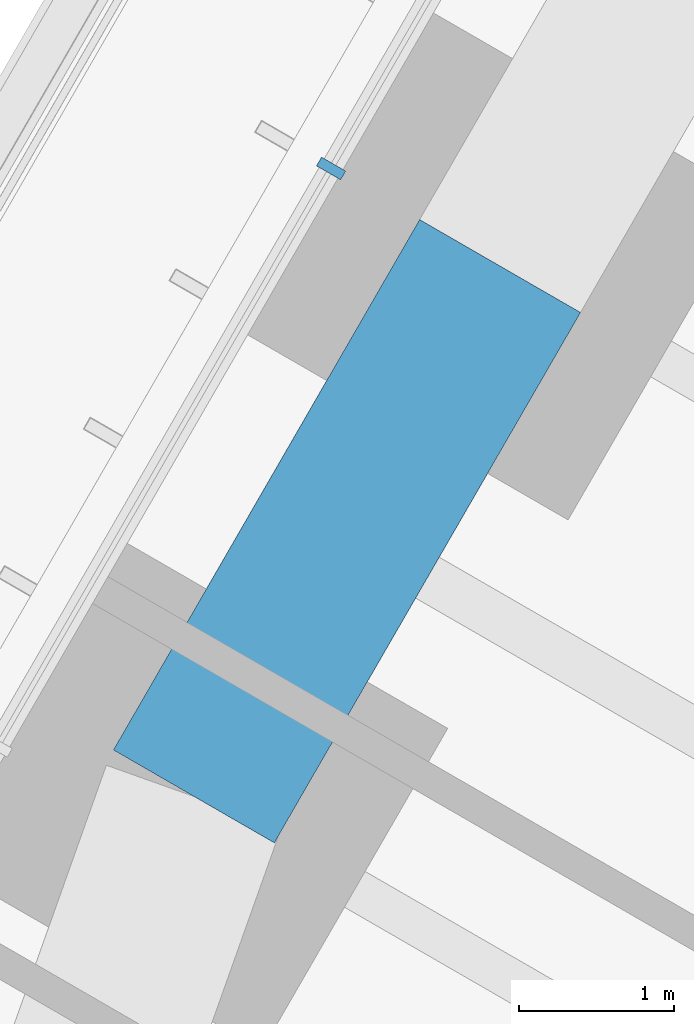
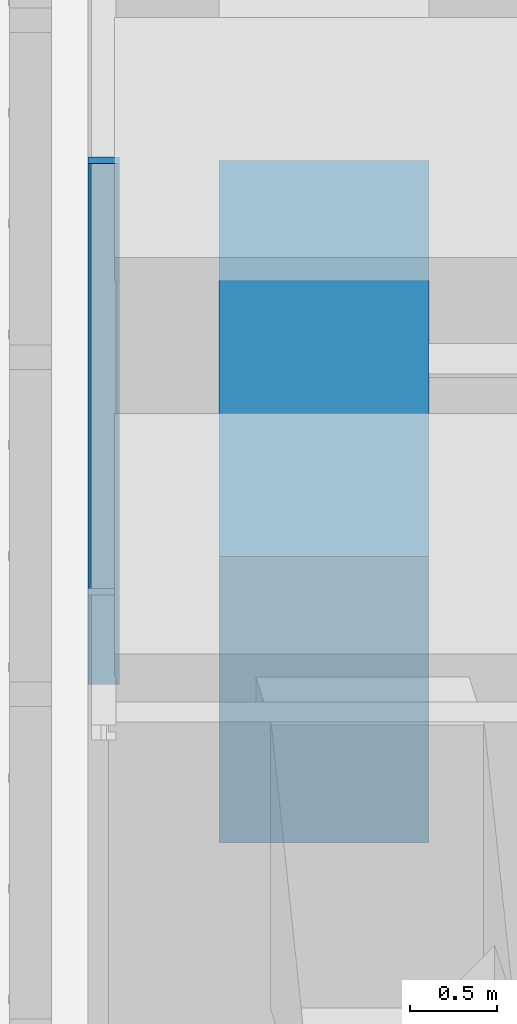
# One storey, part 135 of 238: 1 beam, 1 member, 1 element without a shape of its own.
"""IFC4 building model written with IfcOpenShell, lengths in metres."""

import ifcopenshell
import ifcopenshell.guid

model = None  # the IFC model being written
_history = None  # IfcOwnerHistory: only IFC2X3 demands one
_inside = {}  # id of a spatial element -> (the spatial element, [elements in it])
_under = {}  # id of a project, library or spatial element -> (it, [spatial elements below it])
_declared = {}  # id of a project -> (the project, [libraries it declares])
_typed = {}  # id of a type object -> (the type object, [elements of that type])
_made_of = {}  # id of a material, layer set ... -> (it, [elements and type objects made of it])


def new_model(schema):
    """Start an empty IFC model of exactly this schema.

    Asked for "IFC4X3", IfcOpenShell would pick the latest addendum, in which some entities
    have other attributes; the version numbers below select the first issue.
    IFC2X3 requires an IfcOwnerHistory on every rooted entity: one is made here for all.
    """
    global model, _history
    if schema == "IFC4X3":
        model = ifcopenshell.file(schema_version=(4, 3, 0, 0))
    else:
        model = ifcopenshell.file(schema=schema)
    _inside.clear()
    _under.clear()
    _declared.clear()
    _typed.clear()
    _made_of.clear()
    _history = None
    if model.schema == "IFC2X3":
        org = make("IfcOrganization", Name="unknown")
        user = make(
            "IfcPersonAndOrganization",
            ThePerson=make("IfcPerson", FamilyName="unknown"),
            TheOrganization=org,
        )
        app = make(
            "IfcApplication",
            ApplicationDeveloper=org,
            Version="unknown",
            ApplicationFullName="unknown",
            ApplicationIdentifier="unknown",
        )
        _history = make(
            "IfcOwnerHistory",
            OwningUser=user,
            OwningApplication=app,
            ChangeAction="ADDED",
            CreationDate=0,
        )
    return model


def make(cls, **values):
    """One entity of the class cls with the attributes given. An attribute that is None is left unset."""
    return model.create_entity(
        cls, **{name: value for name, value in values.items() if value is not None}
    )


def rooted(cls, **values):
    """An entity with a GlobalId (a new one), such as an element, a storey or a relation."""
    return make(cls, GlobalId=ifcopenshell.guid.new(), OwnerHistory=_history, **values)


def si_unit(unit_type, name, prefix=None):
    """IfcSIUnit, for example si_unit("LENGTHUNIT", "METRE", prefix="MILLI")."""
    return make("IfcSIUnit", UnitType=unit_type, Prefix=prefix, Name=name)


def assignment(units):
    """IfcUnitAssignment: the units of a project."""
    return None if units is None else make("IfcUnitAssignment", Units=units)


def point(xyz):
    """IfcCartesianPoint."""
    return None if xyz is None else make("IfcCartesianPoint", Coordinates=xyz)


def direction(xyz):
    """IfcDirection."""
    return None if xyz is None else make("IfcDirection", DirectionRatios=xyz)


def frame(location, z_axis=None, x_axis=None):
    """IfcAxis2Placement3D, a coordinate frame: its origin and axes. An axis left out is left unset."""
    return make(
        "IfcAxis2Placement3D",
        Location=point(location),
        Axis=direction(z_axis),
        RefDirection=direction(x_axis),
    )


def frame_2d(location, x_axis=None):
    """IfcAxis2Placement2D, a coordinate frame in the plane: its origin and x axis."""
    return make(
        "IfcAxis2Placement2D", Location=point(location), RefDirection=direction(x_axis)
    )


def origin():
    """The frame at (0, 0, 0) with its axes left unset."""
    return frame((0.0, 0.0, 0.0))


def origin_2d():
    """The frame at (0, 0) in the plane with its x axis left unset."""
    return frame_2d((0.0, 0.0))


def place(relative_to, where):
    """IfcLocalPlacement: puts the frame where relative to a parent placement (None: the world)."""
    return make(
        "IfcLocalPlacement", PlacementRelTo=relative_to, RelativePlacement=where
    )


def context(
    kind, dimensions, precision=None, world=None, true_north=None, identifier=None
):
    """IfcGeometricRepresentationContext, for example the 3D "Model" context."""
    return make(
        "IfcGeometricRepresentationContext",
        ContextIdentifier=identifier,
        ContextType=kind,
        CoordinateSpaceDimension=dimensions,
        Precision=precision,
        WorldCoordinateSystem=world,
        TrueNorth=true_north,
    )


def subcontext(parent, identifier, kind, view, scale=None):
    """IfcGeometricRepresentationSubContext, for example "Body" below "Model"."""
    return make(
        "IfcGeometricRepresentationSubContext",
        ContextIdentifier=identifier,
        ContextType=kind,
        ParentContext=parent,
        TargetScale=scale,
        TargetView=view,
    )


def project(units=None, contexts=None):
    """IfcProject with its units and contexts."""
    return rooted(
        "IfcProject",
        Name="project",
        RepresentationContexts=contexts,
        UnitsInContext=assignment(units),
    )


def spatial(cls, under=None, at=None, **own):
    """A site, building, storey or space (cls), placed at a placement, below another one or the project."""
    s = rooted(cls, ObjectPlacement=at, **own)
    if under is not None:
        _under.setdefault(under.id(), (under, []))[1].append(s)
    return s


def profile(cls, at=None, kind="AREA", **sizes):
    """A parametric profile (cls). Its sizes go by their IFC names, for example OverallWidth=200.0."""
    return make(cls, ProfileType=kind, Position=at, **sizes)


def rectangle(**sizes):
    """IfcRectangleProfileDef."""
    return profile("IfcRectangleProfileDef", **sizes)


def extrude(swept, where, along, depth):
    """IfcExtrudedAreaSolid: the profile swept, set in the frame where, extruded along a direction by depth."""
    return make(
        "IfcExtrudedAreaSolid",
        SweptArea=swept,
        Position=where,
        ExtrudedDirection=direction(along),
        Depth=depth,
    )


def shape(context_of_items, identifier, shape_type, items):
    """IfcShapeRepresentation: the items that make up one representation, for example the "Body"."""
    return make(
        "IfcShapeRepresentation",
        ContextOfItems=context_of_items,
        RepresentationIdentifier=identifier,
        RepresentationType=shape_type,
        Items=items,
    )


def material(Name=None, Category=None):
    """IfcMaterial."""
    return make("IfcMaterial", Name=Name, Category=Category)


def material_profile(
    of_material, cross_section, Name=None, Category=None, Priority=None
):
    """IfcMaterialProfile: a cross section and its material."""
    return make(
        "IfcMaterialProfile",
        Name=Name,
        Material=of_material,
        Profile=cross_section,
        Priority=Priority,
        Category=Category,
    )


def profile_set(profiles, Name=None, composite=None):
    """IfcMaterialProfileSet."""
    return make(
        "IfcMaterialProfileSet",
        Name=Name,
        MaterialProfiles=profiles,
        CompositeProfile=composite,
    )


def made_of(thing, what):
    """Note that an element or type object is made of a material, layer set ...; save() writes the relation."""
    if what is not None:
        _made_of.setdefault(what.id(), (what, []))[1].append(thing)
    return thing


def type_object(cls, material=None, **own):
    """A type object (cls), such as IfcWallType, which elements share."""
    return made_of(rooted(cls, **own), material)


def element(
    cls,
    number,
    at=None,
    inside=None,
    cuts=None,
    type_object=None,
    material=None,
    context=None,
    identifier="Body",
    shape_type=None,
    held_by="IfcProductDefinitionShape",
    body=None,
    shapes=None,
    **own,
):
    """One element of the class cls, such as IfcWall. Its Tag is "e" and its number.

    at: its placement. inside: the storey or other place that contains it. cuts: it is an
    opening in that element (IfcRelVoidsElement). A single representation is given by context,
    identifier, shape_type and body (its items); several are given by shapes. held_by: the class
    of the entity that holds the representations. save() writes the other relations.
    """
    e = rooted(cls, Tag="e%d" % number, ObjectPlacement=at, **own)
    if body is not None:
        shapes = [shape(context, identifier, shape_type, body)]
    if shapes is not None:
        e.Representation = make(held_by, Representations=shapes)
    if inside is not None:
        _inside.setdefault(inside.id(), (inside, []))[1].append(e)
    if cuts is not None:
        rooted(
            "IfcRelVoidsElement", RelatingBuildingElement=cuts, RelatedOpeningElement=e
        )
    if type_object is not None:
        _typed.setdefault(type_object.id(), (type_object, []))[1].append(e)
    return made_of(e, material)


def aggregate(whole, parts):
    """IfcRelAggregates: a whole, such as a stair, and the parts it consists of."""
    return rooted("IfcRelAggregates", RelatingObject=whole, RelatedObjects=parts)


def save(model, path):
    """Write the relations noted so far, then the file.

    IfcRelAggregates (storeys below a building ...), IfcRelContainedInSpatialStructure (elements
    in a storey), IfcRelDefinesByType, IfcRelAssociatesMaterial and IfcRelDeclares: one each for
    every whole, place, type object, material and project.
    """
    for whole, parts in _under.values():
        aggregate(whole, parts)
    for where, things in _inside.values():
        rooted(
            "IfcRelContainedInSpatialStructure",
            RelatedElements=things,
            RelatingStructure=where,
        )
    for kind, things in _typed.values():
        rooted("IfcRelDefinesByType", RelatedObjects=things, RelatingType=kind)
    for what, things in _made_of.values():
        rooted("IfcRelAssociatesMaterial", RelatedObjects=things, RelatingMaterial=what)
    for by, libraries in _declared.values():
        rooted("IfcRelDeclares", RelatingContext=by, RelatedDefinitions=libraries)
    model.write(path)


model = new_model("IFC4")

# Units and contexts
model_context = context("Model", 3, precision=1e-05, world=origin(), true_north=direction((0.0, 1.0)))
body_context = subcontext(model_context, "Body", "Model", "MODEL_VIEW")
ifc_project = project(units=[si_unit("LENGTHUNIT", "METRE"), si_unit("AREAUNIT", "SQUARE_METRE"), si_unit("VOLUMEUNIT", "CUBIC_METRE"), si_unit("PLANEANGLEUNIT", "RADIAN"), si_unit("MASSUNIT", "GRAM", prefix="KILO")], contexts=[model_context])

# Site, building, storey
site_placement = place(None, origin())
site = spatial("IfcSite", under=ifc_project, at=site_placement, CompositionType="ELEMENT")
building_placement = place(site_placement, origin())
building = spatial("IfcBuilding", under=site, at=building_placement, Name="Sandreach Pilgrim Tower", CompositionType="ELEMENT")
storey_placement = place(building_placement, frame((0.0, 0.0, 96.800048828125)))
storey = spatial("IfcBuildingStorey", under=building, at=storey_placement, Name="L23", CompositionType="ELEMENT", Elevation=96.800048828125)

# Curtain wall, member
ifc_material_1 = material(Name="Aluminium framed curtain wall", Category="aluminium")
curtain_wall_type = type_object("IfcCurtainWallType", Name="Hotel tower curtain wall", PredefinedType="NOTDEFINED", material=ifc_material_1)
curtain_wall_placement = place(storey_placement, origin())
curtain_wall = element("IfcCurtainWall", 1, at=curtain_wall_placement, inside=storey, type_object=curtain_wall_type, Name="CW-2 L23 NW", PredefinedType="NOTDEFINED")
ifc_material_2 = material(Name="Aluminium extrusion", Category="aluminium")
ifc_material_profile_1 = material_profile(ifc_material_2, rectangle(XDim=0.06494140625, YDim=0.179931640625, at=origin_2d()), Name="CW-2M 65X180")
ifc_profile_set_1 = profile_set([ifc_material_profile_1], Name="Aluminium extrusion")
member_type = type_object("IfcMemberType", Name="CW-2 mullion", PredefinedType="MULLION", material=ifc_profile_set_1)
member_placement = place(storey_placement, frame((-24.415283203125, 14.09619140625, 0.0), z_axis=(0.0, 0.0, 1.0), x_axis=(0.5, 0.866025403784, 0.0)))
member = element("IfcMember", 2, at=member_placement, type_object=member_type, Name="CW-2 mullion 3", PredefinedType="MULLION", context=body_context, shape_type="SweptSolid", body=[
    extrude(rectangle(XDim=0.06494140625, YDim=0.179931640625, at=origin_2d()), origin(), (0.0, 0.0, 1.0), 3.639892578125),
])
aggregate(curtain_wall, [member])

# Beam
ifc_material_3 = material(Name="Concrete 10000 psi", Category="concrete")
ifc_material_profile_2 = material_profile(ifc_material_3, rectangle(XDim=1.199951171875, YDim=2.0, at=origin_2d()), Name="RC1200X2000")
ifc_profile_set_2 = profile_set([ifc_material_profile_2], Name="Concrete 10000 psi")
beam_type = type_object("IfcBeamType", Name="Spandrel beam RC1200X2000", PredefinedType="SPANDREL", material=ifc_profile_set_2)
beam_placement = place(storey_placement, frame((-25.301513671875, 10.040771484375, 2.639892578125), z_axis=(0.499989616998, 0.866031398331, 0.0), x_axis=(-0.866031398331, 0.499989616998, 0.0)))
element("IfcBeam", 3, at=beam_placement, inside=storey, type_object=beam_type, Name="BM L23 SP36", PredefinedType="SPANDREL", context=body_context, shape_type="SweptSolid", body=[
    extrude(rectangle(XDim=1.199951171875, YDim=2.0, at=origin_2d()), origin(), (0.0, 0.0, 1.0), 3.955078125),
])

save(model, "model.ifc")
